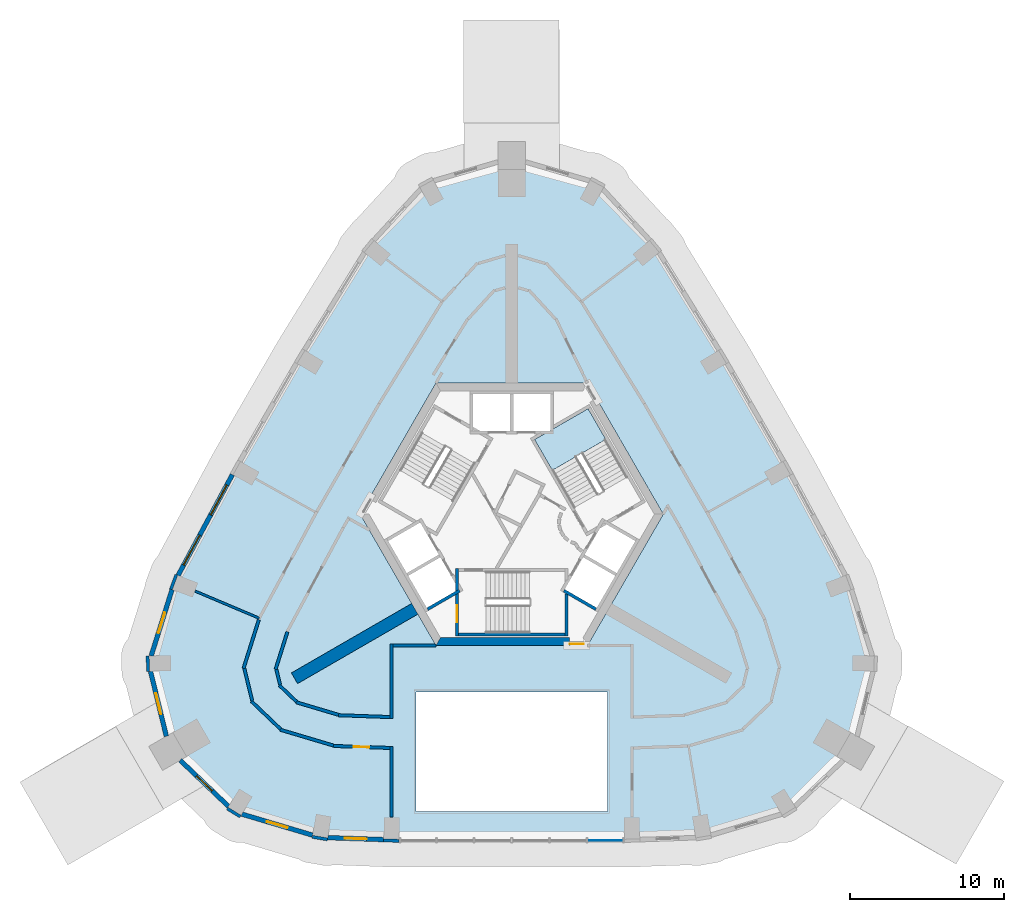
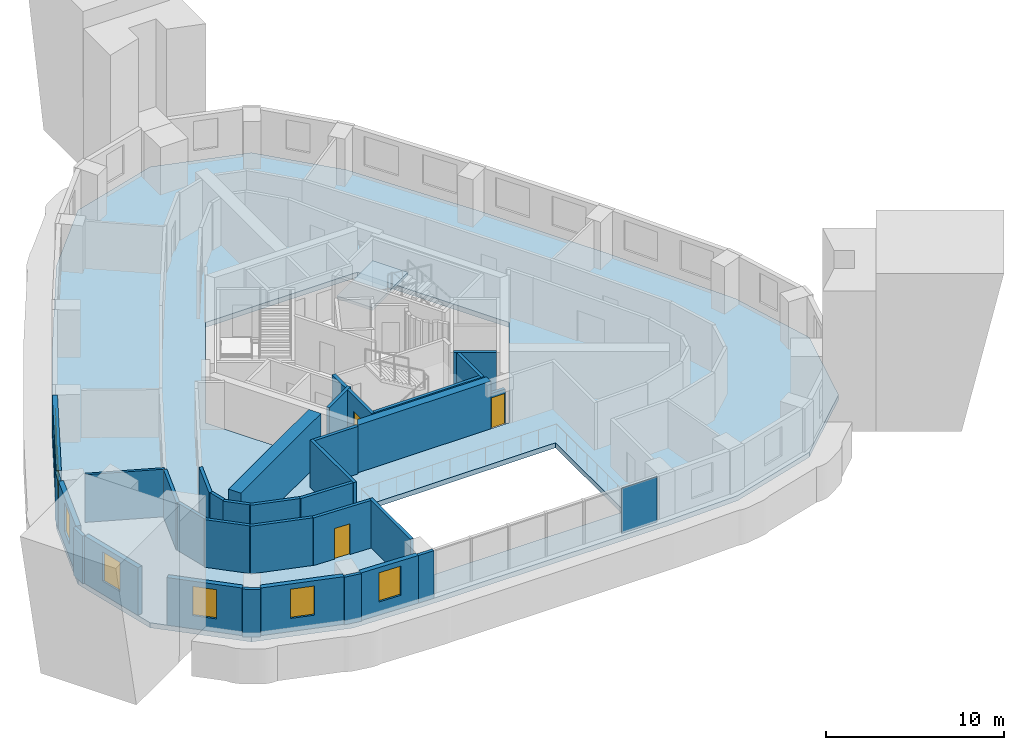
# One storey, part 3 of 11: 33 walls, 7 windows, 3 doors, 2 slabs, 1 plate, 10 openings, 2 elements without a shape of their own.
"""IFC4 building model written with IfcOpenShell, lengths in metres."""

from ifc_helpers import new_model, si_unit, direction, frame, frame_2d, origin, origin_2d, place, context, subcontext, project, spatial, polyline, rectangle, outline, extrude, material, layer, layer_set, type_object, element, fill, aggregate, save


model = new_model("IFC4")

# Units and contexts
model_context = context("Model", 3, precision=1e-05, world=origin(), true_north=direction((0.0, 1.0)))
body_context = subcontext(model_context, "Body", "Model", "MODEL_VIEW")
ifc_project = project(units=[si_unit("LENGTHUNIT", "METRE"), si_unit("AREAUNIT", "SQUARE_METRE"), si_unit("VOLUMEUNIT", "CUBIC_METRE"), si_unit("PLANEANGLEUNIT", "RADIAN"), si_unit("MASSUNIT", "GRAM", prefix="KILO")], contexts=[model_context])

# Site, building, storey
site_placement = place(None, origin())
site = spatial("IfcSite", under=ifc_project, at=site_placement, CompositionType="ELEMENT")
building_placement = place(site_placement, origin())
building = spatial("IfcBuilding", under=site, at=building_placement, Name="Entoto Arch Interchange Tower", CompositionType="ELEMENT")
storey_placement = place(building_placement, frame((0.0, 0.0, 308.0)))
storey = spatial("IfcBuildingStorey", under=building, at=storey_placement, Name="L72", CompositionType="ELEMENT", Elevation=308.0)

# Stair, slab
ifc_material_1 = material(Name="Concrete C40/50", Category="concrete")
stair_type = type_object("IfcStairType", Name="EXIT STAIR RC 1800", PredefinedType="HALF_TURN_STAIR", material=ifc_material_1)
stair_placement = place(storey_placement, origin())
stair = element("IfcStair", 1, at=stair_placement, inside=storey, type_object=stair_type, Name="L72 Exit stair NE", PredefinedType="HALF_TURN_STAIR")
ifc_layer_1 = layer(ifc_material_1, 0.199951171875)
ifc_layer_set_1 = layer_set([ifc_layer_1], Name="Concrete C40/50")
slab_type_1 = type_object("IfcSlabType", Name="EXIT STAIR LANDING RC 200", PredefinedType="LANDING", material=ifc_layer_set_1)
slab_1_placement = place(storey_placement, frame((0.0, 0.0, 1.60009765625)))
slab_1 = element("IfcSlab", 2, at=slab_1_placement, type_object=slab_type_1, Name="ST-NE landing 1", PredefinedType="LANDING", context=body_context, shape_type="SweptSolid", body=[
    extrude(outline(polyline([(6.093505859375, 7.345947265625), (4.943359375, 9.337890625), (1.479248046875, 7.337890625), (2.62939453125, 5.345947265625), (6.093505859375, 7.345947265625)])), origin(), (0.0, 0.0, 1.0), 0.199951171875),
])
aggregate(stair, [slab_1])

# Curtain wall, plate
ifc_material_2 = material(Name="Aluminium, anodised", Category="aluminium")
curtain_wall_type = type_object("IfcCurtainWallType", Name="CURTAIN WALL ATRIUM", PredefinedType="NOTDEFINED", material=ifc_material_2)
curtain_wall_placement = place(storey_placement, origin())
curtain_wall = element("IfcCurtainWall", 3, at=curtain_wall_placement, inside=storey, type_object=curtain_wall_type, Name="Atrium glazing S-02 L72", PredefinedType="NOTDEFINED")
ifc_material_3 = material(Name="Clear glass, low-e double glazed", Category="glass")
ifc_layer_2 = layer(ifc_material_3, 0.031982421875)
ifc_layer_set_2 = layer_set([ifc_layer_2], Name="Clear glass, low-e double glazed")
plate_type = type_object("IfcPlateType", Name="GLAZING PANEL ATRIUM 32", PredefinedType="CURTAIN_PANEL", material=ifc_layer_set_2)
plate_placement = place(storey_placement, frame((6.056640625, -18.62109375, 0.079833984375), z_axis=(0.0, 0.0, 1.0), x_axis=(1.0, 0.0, 0.0)))
plate = element("IfcPlate", 4, at=plate_placement, type_object=plate_type, Name="CWA panel 6.1", PredefinedType="CURTAIN_PANEL", context=body_context, shape_type="SweptSolid", body=[
    extrude(rectangle(XDim=2.28271484375, YDim=0.031982421875, at=origin_2d()), origin(), (0.0, 0.0, 1.0), 3.10009765625),
])
aggregate(curtain_wall, [plate])

# Slab
ifc_layer_3 = layer(ifc_material_1, 0.340087890625)
ifc_layer_set_3 = layer_set([ifc_layer_3], Name="Concrete C40/50")
slab_type_2 = type_object("IfcSlabType", Name="Post-tensioned flat plate 340 C40/50", PredefinedType="FLOOR", material=ifc_layer_set_3)
slab_2_placement = place(storey_placement, frame((0.0, 0.0, -0.340087890625)))
element("IfcSlab", 5, at=slab_2_placement, inside=storey, type_object=slab_type_2, Name="Floor slab L72", PredefinedType="FLOOR", context=body_context, shape_type="SweptSolid", body=[
    extrude(outline(polyline([(-12.447998046875, -18.5810546875), (-7.800048828125, -18.74609375), (7.800048828125, -18.74609375), (12.447998046875, -18.5810546875), (18.05810546875, -16.910888671875), (22.2890625, -12.868896484375), (23.675048828125, -7.181884765625), (21.99609375, -1.85205078125), (17.990966796875, 5.577880859375), (13.825927734375, 12.7919921875), (9.39404296875, 19.97509765625), (5.616943359375, 24.093994140625), (0.0, 25.737060546875), (-5.616943359375, 24.093994140625), (-9.39404296875, 19.97509765625), (-13.825927734375, 12.7919921875), (-17.990966796875, 5.577880859375), (-21.99609375, -1.85205078125), (-23.675048828125, -7.181884765625), (-22.2890625, -12.868896484375), (-18.05810546875, -16.910888671875), (-12.447998046875, -18.5810546875)]), holes=[polyline([(6.199951171875, -16.74609375), (6.199951171875, -9.0), (-6.199951171875, -9.0), (-6.199951171875, -16.74609375), (6.199951171875, -16.74609375)]), polyline([(9.81494140625, 2.5), (4.906982421875, 11.0), (-4.906982421875, 11.0), (-9.81494140625, 2.5), (-4.906982421875, -6.0), (4.906982421875, -6.0), (9.81494140625, 2.5)])]), origin(), (0.0, 0.0, 1.0), 0.340087890625),
])

# Wall
ifc_layer_4 = layer(ifc_material_1, 0.800048828125)
ifc_layer_set_4 = layer_set([ifc_layer_4], Name="Concrete C40/50")
wall_type_1 = type_object("IfcWallType", Name="Buttress wall 800 C40/50", PredefinedType="SHEAR", material=ifc_layer_set_4)
wall_1_placement = place(storey_placement, frame((-6.279052734375, -3.625, -0.340087890625), z_axis=(0.0, 0.0, 1.0), x_axis=(-0.866017533419, -0.500013631625, 0.0)))
element("IfcWall", 6, at=wall_1_placement, inside=storey, type_object=wall_type_1, Name="Buttress wall SW L72", PredefinedType="SHEAR", context=body_context, shape_type="SweptSolid", body=[
    extrude(rectangle(XDim=8.999755859375, YDim=0.800048828125, at=frame_2d((4.5, 0.0))), origin(), (0.0, 0.0, 1.0), 3.60009765625),
])

# Wall, opening, door
ifc_material_4 = material(Name="Reinforced concrete C40/50", Category="concrete")
ifc_layer_5 = layer(ifc_material_4, 0.199951171875)
ifc_layer_set_5 = layer_set([ifc_layer_5], Name="Reinforced concrete C40/50")
wall_type_2 = type_object("IfcWallType", Name="CORE GAP INFILL WALL", PredefinedType="PARTITIONING", material=ifc_layer_set_5)
wall_2_placement = place(storey_placement, frame((3.75, -5.89990234375, 0.0), z_axis=(0.0, 0.0, 1.0), x_axis=(1.0, 0.0, 0.0)))
wall_2 = element("IfcWall", 7, at=wall_2_placement, inside=storey, type_object=wall_type_2, Name="wall:L72:gap1", PredefinedType="PARTITIONING", context=body_context, shape_type="SweptSolid", body=[
    extrude(rectangle(XDim=0.926025390625, YDim=0.199951171875, at=frame_2d((0.462890625, 0.0))), origin(), (0.0, 0.0, 1.0), 2.39990234375),
])
opening_1_placement = place(wall_2_placement, frame((0.01708984375, 0.0, 0.0)))
opening_1 = element("IfcOpeningElement", 8, at=opening_1_placement, cuts=wall_2, Name="Opening L72-D91", PredefinedType="OPENING", context=body_context, shape_type="SweptSolid", body=[
    extrude(rectangle(XDim=0.89990234375, YDim=2.10009765625, at=frame_2d((0.449951171875, 1.050048828125))), frame((0.0, 0.10986328125, 0.0), z_axis=(0.0, -1.0, 0.0), x_axis=(1.0, 0.0, 0.0)), (0.0, 0.0, 1.0), 0.219970703125),
])
ifc_material_5 = material(Name="Fire-rated Steel S235 door and frame", Category="steel")
door_type_1 = type_object("IfcDoorType", Name="DOOR FD-09 900x2100", OperationType="SINGLE_SWING_LEFT", PredefinedType="DOOR", material=ifc_material_5)
door_1_placement = place(opening_1_placement, origin())
door_1 = element("IfcDoor", 9, at=door_1_placement, inside=storey, type_object=door_type_1, Name="door:L72:gap1", OperationType="SINGLE_SWING_LEFT", OverallHeight=2.10009765625, OverallWidth=0.89990234375, PredefinedType="DOOR", context=body_context, shape_type="SweptSolid", body=[
    extrude(rectangle(XDim=0.89990234375, YDim=2.10009765625, at=frame_2d((0.449951171875, 1.050048828125))), frame((0.0, 0.02490234375, 0.0), z_axis=(0.0, -1.0, 0.0), x_axis=(1.0, 0.0, 0.0)), (0.0, 0.0, 1.0), 0.050048828125),
])
fill(opening_1, door_1)

# Walls
ifc_layer_6 = layer(ifc_material_1, 0.5)
ifc_layer_set_6 = layer_set([ifc_layer_6], Name="Concrete C40/50")
wall_type_3 = type_object("IfcWallType", Name="Core wall 500 C40/50", PredefinedType="SHEAR", material=ifc_layer_set_6)
wall_3_placement = place(storey_placement, frame((0.0, 0.0, -0.340087890625)))
element("IfcWall", 10, at=wall_3_placement, inside=storey, type_object=wall_type_3, Name="Core wall S L72", PredefinedType="SHEAR", context=body_context, shape_type="SweptSolid", body=[
    extrude(outline(polyline([(3.75, -6.0), (3.75, -5.5), (-4.618896484375, -5.5), (-4.906982421875, -6.0), (3.75, -6.0)])), origin(), (0.0, 0.0, 1.0), 3.60009765625),
])
ifc_layer_7 = layer(ifc_material_1, 0.199951171875)
ifc_layer_set_7 = layer_set([ifc_layer_7], Name="Concrete C40/50")
wall_type_4 = type_object("IfcWallType", Name="LIFT SHAFT WALL 200", PredefinedType="STANDARD", material=ifc_layer_set_7)
for number, where, z_axis, x_axis, name in (
    (11, (-3.376953125, -2.451904296875, 0.0), (0.0, 0.0, 1.0), (-0.865955154139, -0.50012165622, 0.0), "Shaft wall SW1 cross 3"),
    (12, (3.376953125, -2.451904296875, 0.0), (0.0, 0.0, 1.0), (0.865955154139, -0.50012165622, 0.0), "Shaft wall SE1 cross 1"),
):
    element("IfcWall", number, at=place(storey_placement, frame(where, z_axis=z_axis, x_axis=x_axis)), inside=storey, type_object=wall_type_4, Name=name, PredefinedType="STANDARD", context=body_context, shape_type="SweptSolid", body=[
        extrude(rectangle(XDim=2.39990234375, YDim=0.199951171875, at=frame_2d((1.199951171875, 0.0))), origin(), (0.0, 0.0, 1.0), 3.260009765625),
    ])
ifc_material_6 = material(Name="Gypsum board partition on steel studs", Category="steel")
ifc_layer_8 = layer(ifc_material_6, 0.14990234375)
ifc_layer_set_8 = layer_set([ifc_layer_8], Name="Gypsum board partition on steel studs")
wall_type_5 = type_object("IfcWallType", Name="PARTITION 150", PredefinedType="PARTITIONING", material=ifc_layer_set_8)
wall_4_placement = place(storey_placement, frame((-16.35205078125, -4.237060546875, 0.0), z_axis=(0.0, 0.0, 1.0), x_axis=(-0.921092849348, 0.389342988738, 0.0)))
element("IfcWall", 13, at=wall_4_placement, inside=storey, type_object=wall_type_5, Name="wall:L72:p074", PredefinedType="PARTITIONING", context=body_context, shape_type="SweptSolid", body=[
    extrude(rectangle(XDim=4.50537109375, YDim=0.14990234375, at=frame_2d((2.252685546875, 0.0))), origin(), (0.0, 0.0, 1.0), 3.260009765625),
])
ifc_layer_9 = layer(ifc_material_6, 0.199951171875)
ifc_layer_set_9 = layer_set([ifc_layer_9], Name="Gypsum board partition on steel studs")
wall_type_6 = type_object("IfcWallType", Name="PARTITION 200", PredefinedType="PARTITIONING", material=ifc_layer_set_9)
wall_5_placement = place(storey_placement, frame((-14.531005859375, -5.114013671875, 0.0), z_axis=(0.0, 0.0, 1.0), x_axis=(-0.300501248013, -0.953781421471, 0.0)))
element("IfcWall", 14, at=wall_5_placement, inside=storey, type_object=wall_type_6, Name="wall:L72:p025", PredefinedType="PARTITIONING", context=body_context, shape_type="SweptSolid", body=[
    extrude(rectangle(XDim=2.55908203125, YDim=0.199951171875, at=frame_2d((1.279541015625, 0.0))), origin(), (0.0, 0.0, 1.0), 3.260009765625),
])
wall_6_placement = place(storey_placement, frame((-15.2470703125, -7.556884765625, 0.0), z_axis=(0.0, 0.0, 1.0), x_axis=(0.237373129266, -0.971418549083, 0.0)))
element("IfcWall", 15, at=wall_6_placement, inside=storey, type_object=wall_type_6, Name="wall:L72:p026", PredefinedType="PARTITIONING", context=body_context, shape_type="SweptSolid", body=[
    extrude(rectangle(XDim=1.0244140625, YDim=0.199951171875, at=frame_2d((0.51220703125, 0.0))), origin(), (0.0, 0.0, 1.0), 3.260009765625),
])
wall_7_placement = place(storey_placement, frame((-15.052978515625, -8.580078125, 0.0), z_axis=(0.0, 0.0, 1.0), x_axis=(0.723283043556, -0.690551691696, 0.0)))
element("IfcWall", 16, at=wall_7_placement, inside=storey, type_object=wall_type_6, Name="wall:L72:p027", PredefinedType="PARTITIONING", context=body_context, shape_type="SweptSolid", body=[
    extrude(rectangle(XDim=1.529052734375, YDim=0.199951171875, at=frame_2d((0.7646484375, 0.0))), origin(), (0.0, 0.0, 1.0), 3.260009765625),
])
wall_8_placement = place(storey_placement, frame((-13.970947265625, -9.676025390625, 0.0), z_axis=(0.0, 0.0, 1.0), x_axis=(0.958417413979, -0.285370041492, 0.0)))
element("IfcWall", 17, at=wall_8_placement, inside=storey, type_object=wall_type_6, Name="wall:L72:p028", PredefinedType="PARTITIONING", context=body_context, shape_type="SweptSolid", body=[
    extrude(rectangle(XDim=2.865966796875, YDim=0.199951171875, at=frame_2d((1.43310546875, 0.0))), origin(), (0.0, 0.0, 1.0), 3.260009765625),
])
wall_9_placement = place(storey_placement, frame((-11.22802734375, -10.51904296875, 0.0), z_axis=(0.0, 0.0, 1.0), x_axis=(0.999372900517, -0.035409119054, 0.0)))
element("IfcWall", 18, at=wall_9_placement, inside=storey, type_object=wall_type_6, Name="wall:L72:p029", PredefinedType="PARTITIONING", context=body_context, shape_type="SweptSolid", body=[
    extrude(rectangle(XDim=3.330322265625, YDim=0.199951171875, at=frame_2d((1.6650390625, 0.0))), origin(), (0.0, 0.0, 1.0), 3.260009765625),
])

# Wall, opening, door
wall_10_placement = place(storey_placement, frame((-7.89990234375, -12.638916015625, 0.0), z_axis=(0.0, 0.0, 1.0), x_axis=(-0.999368879246, 0.035522432268, 0.0)))
wall_10 = element("IfcWall", 19, at=wall_10_placement, inside=storey, type_object=wall_type_6, Name="wall:L72:p045", PredefinedType="PARTITIONING", context=body_context, shape_type="SweptSolid", body=[
    extrude(rectangle(XDim=3.65625, YDim=0.199951171875, at=frame_2d((1.828125, 0.0))), origin(), (0.0, 0.0, 1.0), 3.260009765625),
])
opening_2_placement = place(wall_10_placement, frame((1.327880859375, 0.0, 0.0)))
opening_2 = element("IfcOpeningElement", 20, at=opening_2_placement, cuts=wall_10, Name="Opening L72-D07", PredefinedType="OPENING", context=body_context, shape_type="SweptSolid", body=[
    extrude(rectangle(XDim=1.0, YDim=2.10009765625, at=frame_2d((0.5, 1.050048828125))), frame((0.0, 0.10986328125, 0.0), z_axis=(0.0, -1.0, 0.0), x_axis=(1.0, 0.0, 0.0)), (0.0, 0.0, 1.0), 0.219970703125),
])
ifc_material_7 = material(Name="Timber door leaf in Steel S235 frame", Category="steel")
door_type_2 = type_object("IfcDoorType", Name="DOOR DS-10 1000x2100", OperationType="SINGLE_SWING_LEFT", PredefinedType="DOOR", material=ifc_material_7)
door_2_placement = place(opening_2_placement, origin())
door_2 = element("IfcDoor", 21, at=door_2_placement, inside=storey, type_object=door_type_2, Name="door:L72:07", OperationType="SINGLE_SWING_LEFT", OverallHeight=2.10009765625, OverallWidth=1.0, PredefinedType="DOOR", context=body_context, shape_type="SweptSolid", body=[
    extrude(rectangle(XDim=1.0, YDim=2.10009765625, at=frame_2d((0.5, 1.050048828125))), frame((0.0, 0.02490234375, 0.0), z_axis=(0.0, -1.0, 0.0), x_axis=(1.0, 0.0, 0.0)), (0.0, 0.0, 1.0), 0.050048828125),
])
fill(opening_2, door_2)

# Walls
wall_11_placement = place(storey_placement, frame((-11.550048828125, -12.48388671875, 0.0), z_axis=(0.0, 0.0, 1.0), x_axis=(-0.958459796003, 0.285227662485, 0.0)))
element("IfcWall", 22, at=wall_11_placement, inside=storey, type_object=wall_type_6, Name="wall:L72:p046", PredefinedType="PARTITIONING", context=body_context, shape_type="SweptSolid", body=[
    extrude(rectangle(XDim=3.603515625, YDim=0.199951171875, at=frame_2d((1.8017578125, 0.0))), origin(), (0.0, 0.0, 1.0), 3.260009765625),
])
wall_12_placement = place(storey_placement, frame((-14.97998046875, -11.4150390625, 0.0), z_axis=(0.0, 0.0, 1.0), x_axis=(-0.723099256445, 0.690744138831, 0.0)))
element("IfcWall", 23, at=wall_12_placement, inside=storey, type_object=wall_type_6, Name="wall:L72:p047", PredefinedType="PARTITIONING", context=body_context, shape_type="SweptSolid", body=[
    extrude(rectangle(XDim=2.595703125, YDim=0.199951171875, at=frame_2d((1.2978515625, 0.0))), origin(), (0.0, 0.0, 1.0), 3.260009765625),
])
wall_13_placement = place(storey_placement, frame((-16.80908203125, -9.593994140625, 0.0), z_axis=(0.0, 0.0, 1.0), x_axis=(-0.23664760587, 0.971595548897, 0.0)))
element("IfcWall", 24, at=wall_13_placement, inside=storey, type_object=wall_type_6, Name="wall:L72:p048", PredefinedType="PARTITIONING", context=body_context, shape_type="SweptSolid", body=[
    extrude(rectangle(XDim=2.16748046875, YDim=0.199951171875, at=frame_2d((1.083740234375, 0.0))), origin(), (0.0, 0.0, 1.0), 3.260009765625),
])
wall_14_placement = place(storey_placement, frame((-17.375, -7.487060546875, 0.0), z_axis=(0.0, 0.0, 1.0), x_axis=(0.300195088058, 0.953877827138, 0.0)))
element("IfcWall", 25, at=wall_14_placement, inside=storey, type_object=wall_type_6, Name="wall:L72:p049", PredefinedType="PARTITIONING", context=body_context, shape_type="SweptSolid", body=[
    extrude(rectangle(XDim=3.3076171875, YDim=0.199951171875, at=frame_2d((1.65380859375, 0.0))), origin(), (0.0, 0.0, 1.0), 3.260009765625),
])
wall_15_placement = place(storey_placement, frame((-7.800048828125, -10.740966796875, 0.0), z_axis=(0.0, 0.0, 1.0), x_axis=(0.0, 1.0, 0.0)))
element("IfcWall", 26, at=wall_15_placement, inside=storey, type_object=wall_type_6, Name="wall:L72:p064", PredefinedType="PARTITIONING", context=body_context, shape_type="SweptSolid", body=[
    extrude(rectangle(XDim=4.842041015625, YDim=0.199951171875, at=frame_2d((2.4208984375, 0.0))), origin(), (0.0, 0.0, 1.0), 3.260009765625),
])
wall_16_placement = place(storey_placement, frame((-7.699951171875, -5.9990234375, 0.0), z_axis=(0.0, 0.0, 1.0), x_axis=(1.0, 0.0, 0.0)))
element("IfcWall", 27, at=wall_16_placement, inside=storey, type_object=wall_type_6, Name="wall:L72:p065", PredefinedType="PARTITIONING", context=body_context, shape_type="SweptSolid", body=[
    extrude(rectangle(XDim=2.7919921875, YDim=0.199951171875, at=frame_2d((1.39599609375, 0.0))), origin(), (0.0, 0.0, 1.0), 3.260009765625),
])
wall_17_placement = place(storey_placement, frame((-7.800048828125, -17.1259765625, 0.0), z_axis=(0.0, 0.0, 1.0), x_axis=(0.0, 1.0, 0.0)))
element("IfcWall", 28, at=wall_17_placement, inside=storey, type_object=wall_type_6, Name="wall:L72:p067", PredefinedType="PARTITIONING", context=body_context, shape_type="SweptSolid", body=[
    extrude(rectangle(XDim=4.583984375, YDim=0.199951171875, at=frame_2d((2.2919921875, 0.0))), origin(), (0.0, 0.0, 1.0), 3.260009765625),
])

# Wall, opening, door
ifc_layer_10 = layer(ifc_material_1, 0.199951171875)
ifc_layer_set_10 = layer_set([ifc_layer_10], Name="Concrete C40/50")
wall_type_7 = type_object("IfcWallType", Name="STAIR ENCLOSURE WALL 200", PredefinedType="STANDARD", material=ifc_layer_set_10)
wall_18_placement = place(storey_placement, frame((-3.550048828125, -1.0, 0.0), z_axis=(0.0, 0.0, 1.0), x_axis=(0.0, -1.0, 0.0)))
wall_18 = element("IfcWall", 29, at=wall_18_placement, inside=storey, type_object=wall_type_7, Name="Stair wall ST-S near", PredefinedType="STANDARD", context=body_context, shape_type="SweptSolid", body=[
    extrude(rectangle(XDim=4.39990234375, YDim=0.199951171875, at=frame_2d((2.199951171875, 0.0))), origin(), (0.0, 0.0, 1.0), 3.260009765625),
])
opening_3_placement = place(wall_18_placement, frame((2.39990234375, 0.0, 0.0)))
opening_3 = element("IfcOpeningElement", 30, at=opening_3_placement, cuts=wall_18, Name="Opening SD-ST-S-L72-E", PredefinedType="OPENING", context=body_context, shape_type="SweptSolid", body=[
    extrude(rectangle(XDim=1.10009765625, YDim=2.199951171875, at=frame_2d((0.550048828125, 1.10009765625))), frame((0.0, 0.10986328125, 0.0), z_axis=(0.0, -1.0, 0.0), x_axis=(1.0, 0.0, 0.0)), (0.0, 0.0, 1.0), 0.219970703125),
])
ifc_material_8 = material(Name="Steel S235", Category="steel")
door_type_3 = type_object("IfcDoorType", Name="STAIR DOOR SD1 1100x2200", OperationType="SINGLE_SWING_LEFT", PredefinedType="DOOR", material=ifc_material_8)
door_3_placement = place(opening_3_placement, origin())
door_3 = element("IfcDoor", 31, at=door_3_placement, inside=storey, type_object=door_type_3, Name="Stair door ST-S L72 end", OperationType="SINGLE_SWING_LEFT", OverallHeight=2.199951171875, OverallWidth=1.10009765625, PredefinedType="DOOR", context=body_context, shape_type="SweptSolid", body=[
    extrude(rectangle(XDim=1.10009765625, YDim=2.199951171875, at=frame_2d((0.550048828125, 1.10009765625))), frame((0.0, 0.02490234375, 0.0), z_axis=(0.0, -1.0, 0.0), x_axis=(1.0, 0.0, 0.0)), (0.0, 0.0, 1.0), 0.050048828125),
])
fill(opening_3, door_3)

# Walls
wall_19_placement = place(storey_placement, frame((3.550048828125, -2.6669921875, 0.0), z_axis=(0.0, 0.0, 1.0), x_axis=(0.0, -1.0, 0.0)))
element("IfcWall", 32, at=wall_19_placement, inside=storey, type_object=wall_type_7, Name="Stair wall ST-S far", PredefinedType="STANDARD", context=body_context, shape_type="SweptSolid", body=[
    extrude(rectangle(XDim=2.73291015625, YDim=0.199951171875, at=frame_2d((1.366455078125, 0.0))), origin(), (0.0, 0.0, 1.0), 3.260009765625),
])
wall_20_placement = place(storey_placement, frame((-3.449951171875, -5.300048828125, 0.0), z_axis=(0.0, 0.0, 1.0), x_axis=(1.0, 0.0, 0.0)))
element("IfcWall", 33, at=wall_20_placement, inside=storey, type_object=wall_type_7, Name="Stair wall ST-S back", PredefinedType="STANDARD", context=body_context, shape_type="SweptSolid", body=[
    extrude(rectangle(XDim=6.89990234375, YDim=0.199951171875, at=frame_2d((3.449951171875, 0.0))), origin(), (0.0, 0.0, 1.0), 3.260009765625),
])

# Wall, opening, window
ifc_material_9 = material(Name="Welded tuff (ignimbrite) cladding, warm buff", Category="masonry")
ifc_layer_11 = layer(ifc_material_9, 0.300048828125)
ifc_layer_set_11 = layer_set([ifc_layer_11], Name="Welded tuff (ignimbrite) cladding, warm buff")
wall_type_8 = type_object("IfcWallType", Name="STONE INFILL WALL 300", PredefinedType="STANDARD", material=ifc_layer_set_11)
wall_21_placement = place(storey_placement, frame((-11.9189453125, -18.449951171875, 0.0), z_axis=(0.0, 0.0, 1.0), x_axis=(0.999377185233, -0.035287981473, 0.0)))
wall_21 = element("IfcWall", 34, at=wall_21_placement, inside=storey, type_object=wall_type_8, Name="Facade wall S-01 L72", PredefinedType="STANDARD", context=body_context, shape_type="SweptSolid", body=[
    extrude(rectangle(XDim=3.625244140625, YDim=0.300048828125, at=frame_2d((1.8125, 0.0))), origin(), (0.0, 0.0, 1.0), 3.260009765625),
])
opening_4_placement = place(wall_21_placement, frame((1.113037109375, 0.0, 0.89990234375)))
opening_4 = element("IfcOpeningElement", 35, at=opening_4_placement, cuts=wall_21, Name="Opening WH-B", PredefinedType="OPENING", context=body_context, shape_type="SweptSolid", body=[
    extrude(rectangle(XDim=1.39990234375, YDim=2.0, at=frame_2d((0.699951171875, 1.0))), frame((0.0, 0.16015625, 0.0), z_axis=(0.0, -1.0, 0.0), x_axis=(1.0, 0.0, 0.0)), (0.0, 0.0, 1.0), 0.320068359375),
])
window_type_1 = type_object("IfcWindowType", Name="WINDOW WH-B 1400x2000", PartitioningType="DOUBLE_PANEL_VERTICAL", PredefinedType="WINDOW", material=ifc_material_3)
window_1_placement = place(opening_4_placement, origin())
window_1 = element("IfcWindow", 36, at=window_1_placement, inside=storey, type_object=window_type_1, Name="Window WH-B S-01 L72", OverallHeight=2.0, OverallWidth=1.39990234375, PartitioningType="SINGLE_PANEL", PredefinedType="WINDOW", context=body_context, shape_type="SweptSolid", body=[
    extrude(rectangle(XDim=1.39990234375, YDim=2.0, at=frame_2d((0.699951171875, 1.0))), frame((0.0, 0.030029296875, 0.0), z_axis=(0.0, -1.0, 0.0), x_axis=(1.0, 0.0, 0.0)), (0.0, 0.0, 1.0), 0.06005859375),
])
fill(opening_4, window_1)

# Wall, openings, windows
wall_22_placement = place(storey_placement, frame((-18.096923828125, 5.06591796875, 0.0), z_axis=(0.0, 0.0, 1.0), x_axis=(-0.474421773145, -0.880297666228, 0.0)))
wall_22 = element("IfcWall", 37, at=wall_22_placement, inside=storey, type_object=wall_type_8, Name="Facade wall NW-03 L72", PredefinedType="STANDARD", context=body_context, shape_type="SweptSolid", body=[
    extrude(rectangle(XDim=7.41552734375, YDim=0.300048828125, at=frame_2d((3.707763671875, 0.0))), origin(), (0.0, 0.0, 1.0), 3.260009765625),
])
opening_5_placement = place(wall_22_placement, frame((0.75390625, 0.0, 0.89990234375)))
opening_5 = element("IfcOpeningElement", 38, at=opening_5_placement, cuts=wall_22, Name="Opening WH-A", PredefinedType="OPENING", context=body_context, shape_type="SweptSolid", body=[
    extrude(rectangle(XDim=2.199951171875, YDim=2.0, at=frame_2d((1.10009765625, 1.0))), frame((0.0, 0.16015625, 0.0), z_axis=(0.0, -1.0, 0.0), x_axis=(1.0, 0.0, 0.0)), (0.0, 0.0, 1.0), 0.320068359375),
])
opening_6_placement = place(wall_22_placement, frame((4.4619140625, 0.0, 0.89990234375)))
opening_6 = element("IfcOpeningElement", 39, at=opening_6_placement, cuts=wall_22, Name="Opening WH-A", PredefinedType="OPENING", context=body_context, shape_type="SweptSolid", body=[
    extrude(rectangle(XDim=2.199951171875, YDim=2.0, at=frame_2d((1.10009765625, 1.0))), frame((0.0, 0.16015625, 0.0), z_axis=(0.0, -1.0, 0.0), x_axis=(1.0, 0.0, 0.0)), (0.0, 0.0, 1.0), 0.320068359375),
])
window_type_2 = type_object("IfcWindowType", Name="WINDOW WH-A 2200x2000", PartitioningType="DOUBLE_PANEL_VERTICAL", PredefinedType="WINDOW", material=ifc_material_3)
window_2_placement = place(opening_5_placement, origin())
window_2 = element("IfcWindow", 40, at=window_2_placement, inside=storey, type_object=window_type_2, Name="Window WH-A NW-03 L72", OverallHeight=2.0, OverallWidth=2.199951171875, PartitioningType="SINGLE_PANEL", PredefinedType="WINDOW", context=body_context, shape_type="SweptSolid", body=[
    extrude(rectangle(XDim=2.199951171875, YDim=2.0, at=frame_2d((1.10009765625, 1.0))), frame((0.0, 0.030029296875, 0.0), z_axis=(0.0, -1.0, 0.0), x_axis=(1.0, 0.0, 0.0)), (0.0, 0.0, 1.0), 0.06005859375),
])
fill(opening_5, window_2)
window_3_placement = place(opening_6_placement, origin())
window_3 = element("IfcWindow", 41, at=window_3_placement, inside=storey, type_object=window_type_2, Name="Window WH-A NW-03 L72", OverallHeight=2.0, OverallWidth=2.199951171875, PartitioningType="SINGLE_PANEL", PredefinedType="WINDOW", context=body_context, shape_type="SweptSolid", body=[
    extrude(rectangle(XDim=2.199951171875, YDim=2.0, at=frame_2d((1.10009765625, 1.0))), frame((0.0, 0.030029296875, 0.0), z_axis=(0.0, -1.0, 0.0), x_axis=(1.0, 0.0, 0.0)), (0.0, 0.0, 1.0), 0.06005859375),
])
fill(opening_6, window_3)

# Wall, opening, window
wall_23_placement = place(storey_placement, frame((-22.0048828125, -2.381103515625, 0.0), z_axis=(0.0, 0.0, 1.0), x_axis=(-0.300534385574, -0.953770980418, 0.0)))
wall_23 = element("IfcWall", 42, at=wall_23_placement, inside=storey, type_object=wall_type_8, Name="Facade wall SW-01 L72", PredefinedType="STANDARD", context=body_context, shape_type="SweptSolid", body=[
    extrude(rectangle(XDim=4.501953125, YDim=0.300048828125, at=frame_2d((2.2509765625, 0.0))), origin(), (0.0, 0.0, 1.0), 3.260009765625),
])
opening_7_placement = place(wall_23_placement, frame((1.551025390625, 0.0, 0.89990234375)))
opening_7 = element("IfcOpeningElement", 43, at=opening_7_placement, cuts=wall_23, Name="Opening WH-B", PredefinedType="OPENING", context=body_context, shape_type="SweptSolid", body=[
    extrude(rectangle(XDim=1.39990234375, YDim=2.0, at=frame_2d((0.699951171875, 1.0))), frame((0.0, 0.16015625, 0.0), z_axis=(0.0, -1.0, 0.0), x_axis=(1.0, 0.0, 0.0)), (0.0, 0.0, 1.0), 0.320068359375),
])
window_4_placement = place(opening_7_placement, origin())
window_4 = element("IfcWindow", 44, at=window_4_placement, inside=storey, type_object=window_type_1, Name="Window WH-B SW-01 L72", OverallHeight=2.0, OverallWidth=1.39990234375, PartitioningType="SINGLE_PANEL", PredefinedType="WINDOW", context=body_context, shape_type="SweptSolid", body=[
    extrude(rectangle(XDim=1.39990234375, YDim=2.0, at=frame_2d((0.699951171875, 1.0))), frame((0.0, 0.030029296875, 0.0), z_axis=(0.0, -1.0, 0.0), x_axis=(1.0, 0.0, 0.0)), (0.0, 0.0, 1.0), 0.06005859375),
])
fill(opening_7, window_4)

wall_24_placement = place(storey_placement, frame((-23.40087890625, -7.675048828125, 0.0), z_axis=(0.0, 0.0, 1.0), x_axis=(0.236958776561, -0.971519705519, 0.0)))
wall_24 = element("IfcWall", 45, at=wall_24_placement, inside=storey, type_object=wall_type_8, Name="Facade wall SW-02 L72", PredefinedType="STANDARD", context=body_context, shape_type="SweptSolid", body=[
    extrude(rectangle(XDim=4.329345703125, YDim=0.300048828125, at=frame_2d((2.16455078125, 0.0))), origin(), (0.0, 0.0, 1.0), 3.260009765625),
])
opening_8_placement = place(wall_24_placement, frame((1.465087890625, 0.0, 0.89990234375)))
opening_8 = element("IfcOpeningElement", 46, at=opening_8_placement, cuts=wall_24, Name="Opening WH-B", PredefinedType="OPENING", context=body_context, shape_type="SweptSolid", body=[
    extrude(rectangle(XDim=1.39990234375, YDim=2.0, at=frame_2d((0.699951171875, 1.0))), frame((0.0, 0.16015625, 0.0), z_axis=(0.0, -1.0, 0.0), x_axis=(1.0, 0.0, 0.0)), (0.0, 0.0, 1.0), 0.320068359375),
])
window_5_placement = place(opening_8_placement, origin())
window_5 = element("IfcWindow", 47, at=window_5_placement, inside=storey, type_object=window_type_1, Name="Window WH-B SW-02 L72", OverallHeight=2.0, OverallWidth=1.39990234375, PartitioningType="SINGLE_PANEL", PredefinedType="WINDOW", context=body_context, shape_type="SweptSolid", body=[
    extrude(rectangle(XDim=1.39990234375, YDim=2.0, at=frame_2d((0.699951171875, 1.0))), frame((0.0, 0.030029296875, 0.0), z_axis=(0.0, -1.0, 0.0), x_axis=(1.0, 0.0, 0.0)), (0.0, 0.0, 1.0), 0.06005859375),
])
fill(opening_8, window_5)

wall_25_placement = place(storey_placement, frame((-21.47607421875, -13.43798828125, 0.0), z_axis=(0.0, 0.0, 1.0), x_axis=(0.723113419412, -0.690729312152, 0.0)))
wall_25 = element("IfcWall", 48, at=wall_25_placement, inside=storey, type_object=wall_type_8, Name="Facade wall SW-03 L72", PredefinedType="STANDARD", context=body_context, shape_type="SweptSolid", body=[
    extrude(rectangle(XDim=4.327392578125, YDim=0.300048828125, at=frame_2d((2.16357421875, 0.0))), origin(), (0.0, 0.0, 1.0), 3.260009765625),
])
opening_9_placement = place(wall_25_placement, frame((1.464111328125, 0.0, 0.89990234375)))
opening_9 = element("IfcOpeningElement", 49, at=opening_9_placement, cuts=wall_25, Name="Opening WH-B", PredefinedType="OPENING", context=body_context, shape_type="SweptSolid", body=[
    extrude(rectangle(XDim=1.39990234375, YDim=2.0, at=frame_2d((0.699951171875, 1.0))), frame((0.0, 0.16015625, 0.0), z_axis=(0.0, -1.0, 0.0), x_axis=(1.0, 0.0, 0.0)), (0.0, 0.0, 1.0), 0.320068359375),
])
window_6_placement = place(opening_9_placement, origin())
window_6 = element("IfcWindow", 50, at=window_6_placement, inside=storey, type_object=window_type_1, Name="Window WH-B SW-03 L72", OverallHeight=2.0, OverallWidth=1.39990234375, PartitioningType="SINGLE_PANEL", PredefinedType="WINDOW", context=body_context, shape_type="SweptSolid", body=[
    extrude(rectangle(XDim=1.39990234375, YDim=2.0, at=frame_2d((0.699951171875, 1.0))), frame((0.0, 0.030029296875, 0.0), z_axis=(0.0, -1.0, 0.0), x_axis=(1.0, 0.0, 0.0)), (0.0, 0.0, 1.0), 0.06005859375),
])
fill(opening_9, window_6)

wall_26_placement = place(storey_placement, frame((-17.48193359375, -16.926025390625, 0.0), z_axis=(0.0, 0.0, 1.0), x_axis=(0.95841929886, -0.285363711031, 0.0)))
wall_26 = element("IfcWall", 51, at=wall_26_placement, inside=storey, type_object=wall_type_8, Name="Facade wall SW-04 L72", PredefinedType="STANDARD", context=body_context, shape_type="SweptSolid", body=[
    extrude(rectangle(XDim=4.776611328125, YDim=0.300048828125, at=frame_2d((2.38818359375, 0.0))), origin(), (0.0, 0.0, 1.0), 3.260009765625),
])
opening_10_placement = place(wall_26_placement, frame((1.68798828125, 0.0, 0.89990234375)))
opening_10 = element("IfcOpeningElement", 52, at=opening_10_placement, cuts=wall_26, Name="Opening WH-B", PredefinedType="OPENING", context=body_context, shape_type="SweptSolid", body=[
    extrude(rectangle(XDim=1.39990234375, YDim=2.0, at=frame_2d((0.699951171875, 1.0))), frame((0.0, 0.16015625, 0.0), z_axis=(0.0, -1.0, 0.0), x_axis=(1.0, 0.0, 0.0)), (0.0, 0.0, 1.0), 0.320068359375),
])
window_7_placement = place(opening_10_placement, origin())
window_7 = element("IfcWindow", 53, at=window_7_placement, inside=storey, type_object=window_type_1, Name="Window WH-B SW-04 L72", OverallHeight=2.0, OverallWidth=1.39990234375, PartitioningType="SINGLE_PANEL", PredefinedType="WINDOW", context=body_context, shape_type="SweptSolid", body=[
    extrude(rectangle(XDim=1.39990234375, YDim=2.0, at=frame_2d((0.699951171875, 1.0))), frame((0.0, 0.030029296875, 0.0), z_axis=(0.0, -1.0, 0.0), x_axis=(1.0, 0.0, 0.0)), (0.0, 0.0, 1.0), 0.06005859375),
])
fill(opening_10, window_7)

# Walls
ifc_layer_12 = layer(ifc_material_9, 0.199951171875)
ifc_layer_set_12 = layer_set([ifc_layer_12], Name="Welded tuff (ignimbrite) cladding, warm buff")
wall_type_9 = type_object("IfcWallType", Name="STONE PIER CLADDING 200", PredefinedType="STANDARD", material=ifc_layer_set_12)
wall_27_placement = place(storey_placement, frame((-21.72705078125, -1.4189453125, 0.0), z_axis=(0.0, 0.0, 1.0), x_axis=(-0.350962844851, -0.936389385637, 0.0)))
element("IfcWall", 54, at=wall_27_placement, inside=storey, type_object=wall_type_9, Name="Stone pier NW04 L72", PredefinedType="STANDARD", context=body_context, shape_type="SweptSolid", body=[
    extrude(rectangle(XDim=0.99951171875, YDim=0.199951171875, at=frame_2d((0.499755859375, 0.0))), origin(), (0.0, 0.0, 1.0), 3.260009765625),
])
for number, where, z_axis, x_axis, name in (
    (55, (-12.924072265625, -18.39794921875, 0.0), (0.0, 0.0, 1.0), (0.985800545746, -0.167920469293, 0.0), "Stone pier S01 L72"),
    (56, (-8.298095703125, -18.635986328125, 0.0), (0.0, 0.0, 1.0), (0.999799669399, -0.020015520725, 0.0), "Stone pier S02 L72"),
):
    element("IfcWall", number, at=place(storey_placement, frame(where, z_axis=z_axis, x_axis=x_axis)), inside=storey, type_object=wall_type_9, Name=name, PredefinedType="STANDARD", context=body_context, shape_type="SweptSolid", body=[
        extrude(rectangle(XDim=1.000244140625, YDim=0.199951171875, at=frame_2d((0.5, 0.0))), origin(), (0.0, 0.0, 1.0), 3.260009765625),
    ])
wall_28_placement = place(storey_placement, frame((-23.5869140625, -6.679931640625, 0.0), z_axis=(0.0, 0.0, 1.0), x_axis=(0.023942303888, -0.999713341956, 0.0)))
element("IfcWall", 57, at=wall_28_placement, inside=storey, type_object=wall_type_9, Name="Stone pier SW1 L72", PredefinedType="STANDARD", context=body_context, shape_type="SweptSolid", body=[
    extrude(rectangle(XDim=0.999267578125, YDim=0.199951171875, at=frame_2d((0.49951171875, 0.0))), origin(), (0.0, 0.0, 1.0), 3.260009765625),
])
wall_29_placement = place(storey_placement, frame((-18.43310546875, -16.56494140625, 0.0), z_axis=(0.0, 0.0, 1.0), x_axis=(0.853679739553, -0.520798331677, 0.0)))
element("IfcWall", 58, at=wall_29_placement, inside=storey, type_object=wall_type_9, Name="Stone pier SW3 L72", PredefinedType="STANDARD", context=body_context, shape_type="SweptSolid", body=[
    extrude(rectangle(XDim=1.00048828125, YDim=0.199951171875, at=frame_2d((0.500244140625, 0.0))), origin(), (0.0, 0.0, 1.0), 3.260009765625),
])

save(model, "model.ifc")
